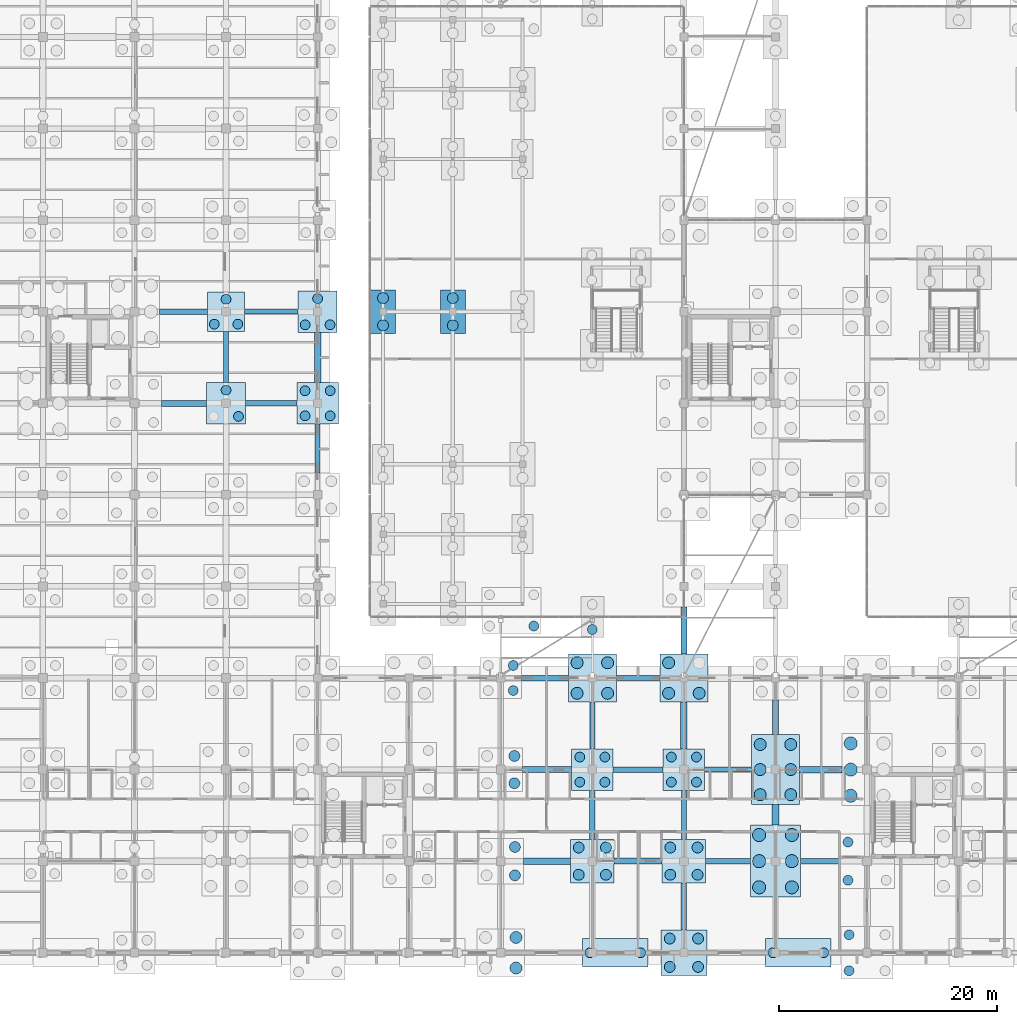
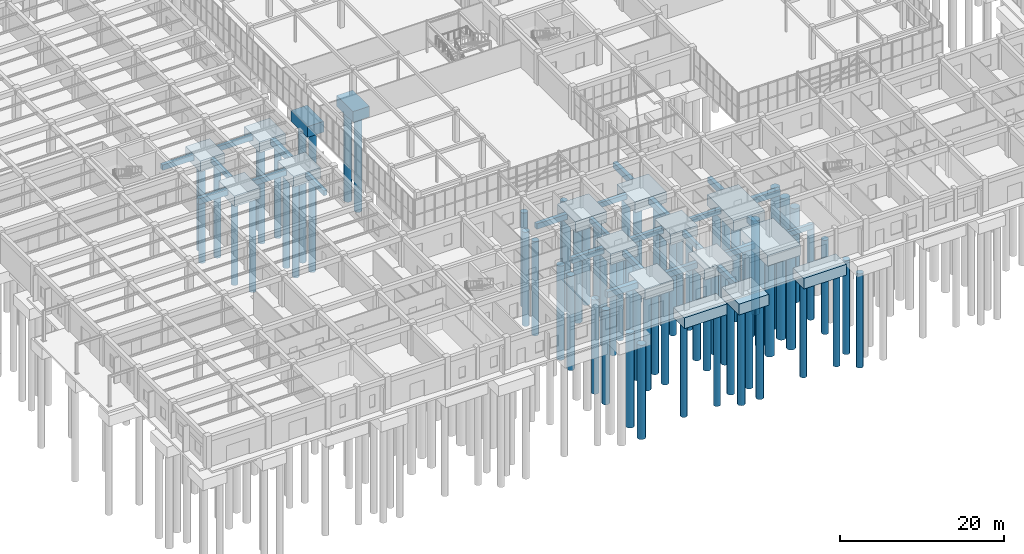
# One storey, part 4 of 192: 76 piles, 42 footings.
"""IFC4 building model written with IfcOpenShell, lengths in metres."""

from ifc_helpers import new_model, si_unit, direction, frame, origin, origin_2d, place, context, subcontext, project, spatial, rectangle, circle, extrude, material, layer, layer_set, material_profile, profile_set, type_object, element, save


model = new_model("IFC4")

# Units and contexts
model_context = context("Model", 3, precision=1e-05, world=origin(), true_north=direction((0.0, 1.0)))
body_context = subcontext(model_context, "Body", "Model", "MODEL_VIEW")
ifc_project = project(units=[si_unit("LENGTHUNIT", "METRE"), si_unit("AREAUNIT", "SQUARE_METRE"), si_unit("VOLUMEUNIT", "CUBIC_METRE"), si_unit("PLANEANGLEUNIT", "RADIAN"), si_unit("MASSUNIT", "GRAM", prefix="KILO")], contexts=[model_context])

# Site, building, storey
site_placement = place(None, origin())
site = spatial("IfcSite", under=ifc_project, at=site_placement, CompositionType="ELEMENT")
building_placement = place(site_placement, origin())
building = spatial("IfcBuilding", under=site, at=building_placement, Name="Trelvath General Hospital", CompositionType="ELEMENT")
storey_placement = place(building_placement, origin())
storey = spatial("IfcBuildingStorey", under=building, at=storey_placement, Name="L00", CompositionType="ELEMENT", Elevation=0.0)

# Piles
ifc_material_1 = material(Name="Concrete C35/45", Category="concrete")
ifc_material_profile_1 = material_profile(ifc_material_1, circle(Radius=0.5, at=origin_2d()), Name="PILE1000")
ifc_profile_set_1 = profile_set([ifc_material_profile_1], Name="Concrete C35/45")
pile_type_1 = type_object("IfcPileType", Name="BoredPile D1000", PredefinedType="BORED", material=ifc_profile_set_1)
for number, where, z_axis, x_axis, name in (
    (1, (48.0, 57.550048828125, -1.800048828125), (0.0, 0.0, -1.0), (1.0, 0.0, 0.0), "Bored Pile P-0372"),
    (2, (48.0, 60.050048828125, -1.800048828125), (0.0, 0.0, -1.0), (1.0, 0.0, 0.0), "Bored Pile P-0373"),
    (3, (54.39990234375, 57.550048828125, -1.800048828125), (0.0, 0.0, -1.0), (1.0, 0.0, 0.0), "Bored Pile P-0420"),
    (4, (54.39990234375, 60.050048828125, -1.800048828125), (0.0, 0.0, -1.0), (1.0, 0.0, 0.0), "Bored Pile P-0421"),
    (5, (60.10009765625, 7.10009765625, -1.800048828125), (0.0, 0.0, -1.0), (1.0, 0.0, 0.0), "Bored Pile P-0433"),
    (6, (60.10009765625, 9.699951171875, -1.800048828125), (0.0, 0.0, -1.0), (1.0, 0.0, 0.0), "Bored Pile P-0435"),
    (7, (60.050048828125, 15.550048828125, -1.800048828125), (0.0, 0.0, -1.0), (1.0, 0.0, 0.0), "Bored Pile P-0437"),
    (8, (60.050048828125, 18.050048828125, -1.800048828125), (0.0, 0.0, -1.0), (1.0, 0.0, 0.0), "Bored Pile P-0439"),
    (9, (65.949951171875, 7.14990234375, -1.800048828125), (0.0, 0.0, -1.0), (1.0, 0.0, 0.0), "Bored Pile P-0484"),
    (10, (68.449951171875, 7.14990234375, -1.800048828125), (0.0, 0.0, -1.0), (1.0, 0.0, 0.0), "Bored Pile P-0485"),
    (11, (65.949951171875, 9.64990234375, -1.800048828125), (0.0, 0.0, -1.0), (1.0, 0.0, 0.0), "Bored Pile P-0486"),
    (12, (68.449951171875, 9.64990234375, -1.800048828125), (0.0, 0.0, -1.0), (1.0, 0.0, 0.0), "Bored Pile P-0487"),
    (13, (74.300048828125, -1.300048828125, -1.800048828125), (0.0, 0.0, -1.0), (1.0, 0.0, 0.0), "Bored Pile P-0520"),
    (14, (76.89990234375, -1.300048828125, -1.800048828125), (0.0, 0.0, -1.0), (1.0, 0.0, 0.0), "Bored Pile P-0521"),
    (15, (74.300048828125, 1.300048828125, -1.800048828125), (0.0, 0.0, -1.0), (1.0, 0.0, 0.0), "Bored Pile P-0522"),
    (16, (76.89990234375, 1.300048828125, -1.800048828125), (0.0, 0.0, -1.0), (1.0, 0.0, 0.0), "Bored Pile P-0523"),
    (17, (74.35009765625, 7.14990234375, -1.800048828125), (0.0, 0.0, -1.0), (1.0, 0.0, 0.0), "Bored Pile P-0524"),
    (18, (76.85009765625, 7.14990234375, -1.800048828125), (0.0, 0.0, -1.0), (1.0, 0.0, 0.0), "Bored Pile P-0525"),
    (19, (74.35009765625, 9.64990234375, -1.800048828125), (0.0, 0.0, -1.0), (1.0, 0.0, 0.0), "Bored Pile P-0526"),
    (20, (76.85009765625, 9.64990234375, -1.800048828125), (0.0, 0.0, -1.0), (1.0, 0.0, 0.0), "Bored Pile P-0527"),
):
    element("IfcPile", number, at=place(storey_placement, frame(where, z_axis=z_axis, x_axis=x_axis)), inside=storey, type_object=pile_type_1, Name=name, PredefinedType="BORED", context=body_context, shape_type="SweptSolid", body=[
        extrude(circle(Radius=0.5, at=origin_2d()), origin(), (0.0, 0.0, 1.0), 14.0),
    ])
ifc_material_2 = material(Name="Concrete C35/45", Category="concrete")
ifc_material_profile_2 = material_profile(ifc_material_2, circle(Radius=0.550048828125, at=origin_2d()), Name="PILE1100")
ifc_profile_set_2 = profile_set([ifc_material_profile_2], Name="Concrete C35/45")
pile_type_2 = type_object("IfcPileType", Name="BoredPile D1100", PredefinedType="BORED", material=ifc_profile_set_2)
for number, where, z_axis, x_axis, name in (
    (21, (60.199951171875, -1.39990234375, -1.800048828125), (0.0, 0.0, -1.0), (1.0, 0.0, 0.0), "Bored Pile P-0429"),
    (22, (60.199951171875, 1.39990234375, -1.800048828125), (0.0, 0.0, -1.0), (1.0, 0.0, 0.0), "Bored Pile P-0431"),
    (23, (65.800048828125, 23.800048828125, -1.800048828125), (0.0, 0.0, -1.0), (1.0, 0.0, 0.0), "Bored Pile P-0492"),
    (24, (68.60009765625, 23.800048828125, -1.800048828125), (0.0, 0.0, -1.0), (1.0, 0.0, 0.0), "Bored Pile P-0493"),
    (25, (65.800048828125, 26.60009765625, -1.800048828125), (0.0, 0.0, -1.0), (1.0, 0.0, 0.0), "Bored Pile P-0494"),
    (26, (68.60009765625, 26.60009765625, -1.800048828125), (0.0, 0.0, -1.0), (1.0, 0.0, 0.0), "Bored Pile P-0495"),
    (27, (74.199951171875, 23.800048828125, -1.800048828125), (0.0, 0.0, -1.0), (1.0, 0.0, 0.0), "Bored Pile P-0532"),
    (28, (77.0, 23.800048828125, -1.800048828125), (0.0, 0.0, -1.0), (1.0, 0.0, 0.0), "Bored Pile P-0533"),
    (29, (74.199951171875, 26.60009765625, -1.800048828125), (0.0, 0.0, -1.0), (1.0, 0.0, 0.0), "Bored Pile P-0534"),
    (30, (82.60009765625, 14.5, -1.800048828125), (0.0, 0.0, -1.0), (1.0, 0.0, 0.0), "Bored Pile P-0590"),
    (31, (85.39990234375, 14.5, -1.800048828125), (0.0, 0.0, -1.0), (1.0, 0.0, 0.0), "Bored Pile P-0591"),
    (32, (82.60009765625, 16.800048828125, -1.800048828125), (0.0, 0.0, -1.0), (1.0, 0.0, 0.0), "Bored Pile P-0592"),
    (33, (85.39990234375, 16.800048828125, -1.800048828125), (0.0, 0.0, -1.0), (1.0, 0.0, 0.0), "Bored Pile P-0593"),
    (34, (82.60009765625, 19.10009765625, -1.800048828125), (0.0, 0.0, -1.0), (1.0, 0.0, 0.0), "Bored Pile P-0594"),
    (35, (85.39990234375, 19.10009765625, -1.800048828125), (0.0, 0.0, -1.0), (1.0, 0.0, 0.0), "Bored Pile P-0595"),
):
    element("IfcPile", number, at=place(storey_placement, frame(where, z_axis=z_axis, x_axis=x_axis)), inside=storey, type_object=pile_type_2, Name=name, PredefinedType="BORED", context=body_context, shape_type="SweptSolid", body=[
        extrude(circle(Radius=0.550048828125, at=origin_2d()), origin(), (0.0, 0.0, 1.0), 14.0),
    ])
ifc_material_3 = material(Name="Concrete C35/45", Category="concrete")
ifc_material_profile_3 = material_profile(ifc_material_3, circle(Radius=0.60009765625, at=origin_2d()), Name="PILE1200")
ifc_profile_set_3 = profile_set([ifc_material_profile_3], Name="Concrete C35/45")
pile_type_3 = type_object("IfcPileType", Name="BoredPile D1200", PredefinedType="BORED", material=ifc_profile_set_3)
for number, where, z_axis, x_axis, name in (
    (36, (82.5, 6.0, -1.800048828125), (0.0, 0.0, -1.0), (1.0, 0.0, 0.0), "Bored Pile P-0584"),
    (37, (85.5, 6.0, -1.800048828125), (0.0, 0.0, -1.0), (1.0, 0.0, 0.0), "Bored Pile P-0585"),
    (38, (82.5, 8.39990234375, -1.800048828125), (0.0, 0.0, -1.0), (1.0, 0.0, 0.0), "Bored Pile P-0586"),
    (39, (85.5, 8.39990234375, -1.800048828125), (0.0, 0.0, -1.0), (1.0, 0.0, 0.0), "Bored Pile P-0587"),
    (40, (82.5, 10.800048828125, -1.800048828125), (0.0, 0.0, -1.0), (1.0, 0.0, 0.0), "Bored Pile P-0588"),
    (41, (85.5, 10.800048828125, -1.800048828125), (0.0, 0.0, -1.0), (1.0, 0.0, 0.0), "Bored Pile P-0589"),
    (42, (90.89990234375, 14.39990234375, -1.800048828125), (0.0, 0.0, -1.0), (1.0, 0.0, 0.0), "Bored Pile P-0655"),
    (43, (90.89990234375, 16.800048828125, -1.800048828125), (0.0, 0.0, -1.0), (1.0, 0.0, 0.0), "Bored Pile P-0657"),
    (44, (90.89990234375, 19.199951171875, -1.800048828125), (0.0, 0.0, -1.0), (1.0, 0.0, 0.0), "Bored Pile P-0659"),
):
    element("IfcPile", number, at=place(storey_placement, frame(where, z_axis=z_axis, x_axis=x_axis)), inside=storey, type_object=pile_type_3, Name=name, PredefinedType="BORED", context=body_context, shape_type="SweptSolid", body=[
        extrude(circle(Radius=0.60009765625, at=origin_2d()), origin(), (0.0, 0.0, 1.0), 14.0),
    ])
ifc_material_4 = material(Name="Concrete C35/45", Category="concrete")
ifc_material_profile_4 = material_profile(ifc_material_4, circle(Radius=0.449951171875, at=origin_2d()), Name="PILE900")
ifc_profile_set_4 = profile_set([ifc_material_profile_4], Name="Concrete C35/45")
pile_type_4 = type_object("IfcPileType", Name="BoredPile D900", PredefinedType="BORED", material=ifc_profile_set_4)
for number, where, z_axis, x_axis, name in (
    (45, (34.739990234375, 49.199951171875, -1.800048828125), (0.0, 0.0, -1.0), (1.0, 0.0, 0.0), "Bored Pile P-0265"),
    (46, (33.60009765625, 51.60009765625, -1.800048828125), (0.0, 0.0, -1.0), (1.0, 0.0, 0.0), "Bored Pile P-0266"),
    (47, (32.52001953125, 57.659912109375, -1.800048828125), (0.0, 0.0, -1.0), (1.0, 0.0, 0.0), "Bored Pile P-0267"),
    (48, (34.679931640625, 57.659912109375, -1.800048828125), (0.0, 0.0, -1.0), (1.0, 0.0, 0.0), "Bored Pile P-0268"),
    (49, (33.60009765625, 59.93994140625, -1.800048828125), (0.0, 0.0, -1.0), (1.0, 0.0, 0.0), "Bored Pile P-0269"),
    (50, (40.85009765625, 49.25, -1.800048828125), (0.0, 0.0, -1.0), (1.0, 0.0, 0.0), "Bored Pile P-0328"),
    (51, (43.14990234375, 49.25, -1.800048828125), (0.0, 0.0, -1.0), (1.0, 0.0, 0.0), "Bored Pile P-0329"),
    (52, (40.85009765625, 51.550048828125, -1.800048828125), (0.0, 0.0, -1.0), (1.0, 0.0, 0.0), "Bored Pile P-0330"),
    (53, (43.14990234375, 51.550048828125, -1.800048828125), (0.0, 0.0, -1.0), (1.0, 0.0, 0.0), "Bored Pile P-0331"),
    (54, (40.860107421875, 57.60009765625, -1.800048828125), (0.0, 0.0, -1.0), (1.0, 0.0, 0.0), "Bored Pile P-0332"),
    (55, (43.139892578125, 57.60009765625, -1.800048828125), (0.0, 0.0, -1.0), (1.0, 0.0, 0.0), "Bored Pile P-0333"),
    (56, (42.0, 60.0, -1.800048828125), (0.0, 0.0, -1.0), (1.0, 0.0, 0.0), "Bored Pile P-0334"),
    (57, (59.949951171875, 24.050048828125, -1.800048828125), (0.0, 0.0, -1.0), (1.0, 0.0, 0.0), "Bored Pile P-0441"),
    (58, (59.949951171875, 26.35009765625, -1.800048828125), (0.0, 0.0, -1.0), (1.0, 0.0, 0.0), "Bored Pile P-0443"),
    (59, (61.830078125, 29.969970703125, -1.800048828125), (0.0, 0.0, -1.0), (1.0, 0.0, 0.0), "Bored Pile P-0446"),
    (60, (66.969970703125, 0.0, -1.800048828125), (0.0, 0.0, -1.0), (1.0, 0.0, 0.0), "Bored Pile P-0482"),
    (61, (71.6298828125, 0.0, -1.800048828125), (0.0, 0.0, -1.0), (1.0, 0.0, 0.0), "Bored Pile P-0483"),
    (62, (66.050048828125, 15.64990234375, -1.800048828125), (0.0, 0.0, -1.0), (1.0, 0.0, 0.0), "Bored Pile P-0488"),
    (63, (68.35009765625, 15.64990234375, -1.800048828125), (0.0, 0.0, -1.0), (1.0, 0.0, 0.0), "Bored Pile P-0489"),
    (64, (66.050048828125, 17.949951171875, -1.800048828125), (0.0, 0.0, -1.0), (1.0, 0.0, 0.0), "Bored Pile P-0490"),
    (65, (68.35009765625, 17.949951171875, -1.800048828125), (0.0, 0.0, -1.0), (1.0, 0.0, 0.0), "Bored Pile P-0491"),
    (66, (67.199951171875, 29.64990234375, -1.800048828125), (0.0, 0.0, -1.0), (1.0, 0.0, 0.0), "Bored Pile P-0496"),
    (67, (74.449951171875, 15.64990234375, -1.800048828125), (0.0, 0.0, -1.0), (1.0, 0.0, 0.0), "Bored Pile P-0528"),
    (68, (76.75, 15.64990234375, -1.800048828125), (0.0, 0.0, -1.0), (1.0, 0.0, 0.0), "Bored Pile P-0529"),
    (69, (74.449951171875, 17.949951171875, -1.800048828125), (0.0, 0.0, -1.0), (1.0, 0.0, 0.0), "Bored Pile P-0530"),
    (70, (76.75, 17.949951171875, -1.800048828125), (0.0, 0.0, -1.0), (1.0, 0.0, 0.0), "Bored Pile P-0531"),
    (71, (83.77001953125, 0.0, -1.800048828125), (0.0, 0.0, -1.0), (1.0, 0.0, 0.0), "Bored Pile P-0582"),
    (72, (88.429931640625, 0.0, -1.800048828125), (0.0, 0.0, -1.0), (1.0, 0.0, 0.0), "Bored Pile P-0583"),
    (73, (90.75, -1.64990234375, -1.800048828125), (0.0, 0.0, -1.0), (1.0, 0.0, 0.0), "Bored Pile P-0645"),
    (74, (90.75, 1.64990234375, -1.800048828125), (0.0, 0.0, -1.0), (1.0, 0.0, 0.0), "Bored Pile P-0648"),
    (75, (90.64990234375, 6.64990234375, -1.800048828125), (0.0, 0.0, -1.0), (1.0, 0.0, 0.0), "Bored Pile P-0650"),
    (76, (90.64990234375, 10.14990234375, -1.800048828125), (0.0, 0.0, -1.0), (1.0, 0.0, 0.0), "Bored Pile P-0653"),
):
    element("IfcPile", number, at=place(storey_placement, frame(where, z_axis=z_axis, x_axis=x_axis)), inside=storey, type_object=pile_type_4, Name=name, PredefinedType="BORED", context=body_context, shape_type="SweptSolid", body=[
        extrude(circle(Radius=0.449951171875, at=origin_2d()), origin(), (0.0, 0.0, 1.0), 14.0),
    ])

# Footings
ifc_material_5 = material(Name="Concrete C35/45", Category="concrete")
ifc_layer_1 = layer(ifc_material_5, 1.60009765625)
ifc_layer_set_1 = layer_set([ifc_layer_1], Name="Concrete C35/45")
footing_type_1 = type_object("IfcFootingType", Name="PileCap 2P 230x400", PredefinedType="PILE_CAP", material=ifc_layer_set_1)
for number, where, z_axis, x_axis, name in (
    (77, (48.0, 58.800048828125, -1.900146484375), (0.0, 0.0, 1.0), (1.0, 0.0, 0.0), "Pile Cap PC-094"),
    (78, (54.39990234375, 58.800048828125, -1.900146484375), (0.0, 0.0, 1.0), (1.0, 0.0, 0.0), "Pile Cap PC-109"),
):
    element("IfcFooting", number, at=place(storey_placement, frame(where, z_axis=z_axis, x_axis=x_axis)), inside=storey, type_object=footing_type_1, Name=name, PredefinedType="PILE_CAP", context=body_context, shape_type="SweptSolid", body=[
        extrude(rectangle(XDim=2.300048828125, YDim=4.0, at=origin_2d()), origin(), (0.0, 0.0, 1.0), 1.60009765625),
    ])
ifc_material_6 = material(Name="Concrete C35/45", Category="concrete")
ifc_layer_2 = layer(ifc_material_6, 1.60009765625)
ifc_layer_set_2 = layer_set([ifc_layer_2], Name="Concrete C35/45")
footing_type_2 = type_object("IfcFootingType", Name="PileCap 3P 340x360", PredefinedType="PILE_CAP", material=ifc_layer_set_2)
footing_1_placement = place(storey_placement, frame((33.60009765625, 58.800048828125, -1.900146484375), z_axis=(0.0, 0.0, 1.0), x_axis=(1.0, 0.0, 0.0)))
element("IfcFooting", 79, at=footing_1_placement, inside=storey, type_object=footing_type_2, Name="Pile Cap PC-068", PredefinedType="PILE_CAP", context=body_context, shape_type="SweptSolid", body=[
    extrude(rectangle(XDim=3.39990234375, YDim=3.60009765625, at=origin_2d()), origin(), (0.0, 0.0, 1.0), 1.60009765625),
])
ifc_material_7 = material(Name="Concrete C35/45", Category="concrete")
ifc_layer_3 = layer(ifc_material_7, 1.60009765625)
ifc_layer_set_3 = layer_set([ifc_layer_3], Name="Concrete C35/45")
footing_type_3 = type_object("IfcFootingType", Name="PileCap 3P 360x380", PredefinedType="PILE_CAP", material=ifc_layer_set_3)
for number, where, z_axis, x_axis, name in (
    (80, (33.60009765625, 50.39990234375, -1.900146484375), (0.0, 0.0, 1.0), (1.0, 0.0, 0.0), "Pile Cap PC-067"),
    (81, (42.0, 58.800048828125, -1.900146484375), (0.0, 0.0, 1.0), (1.0, 0.0, 0.0), "Pile Cap PC-083"),
):
    element("IfcFooting", number, at=place(storey_placement, frame(where, z_axis=z_axis, x_axis=x_axis)), inside=storey, type_object=footing_type_3, Name=name, PredefinedType="PILE_CAP", context=body_context, shape_type="SweptSolid", body=[
        extrude(rectangle(XDim=3.60009765625, YDim=3.800048828125, at=origin_2d()), origin(), (0.0, 0.0, 1.0), 1.60009765625),
    ])
ifc_material_8 = material(Name="Concrete C35/45", Category="concrete")
ifc_layer_4 = layer(ifc_material_8, 1.60009765625)
ifc_layer_set_4 = layer_set([ifc_layer_4], Name="Concrete C35/45")
footing_type_4 = type_object("IfcFootingType", Name="PileCap 4P 380x380", PredefinedType="PILE_CAP", material=ifc_layer_set_4)
for number, where, z_axis, x_axis, name in (
    (82, (42.0, 50.39990234375, -1.900146484375), (0.0, 0.0, 1.0), (1.0, 0.0, 0.0), "Pile Cap PC-082"),
    (83, (67.199951171875, 16.800048828125, -1.900146484375), (0.0, 0.0, 1.0), (1.0, 0.0, 0.0), "Pile Cap PC-132"),
    (84, (75.60009765625, 16.800048828125, -1.900146484375), (0.0, 0.0, 1.0), (1.0, 0.0, 0.0), "Pile Cap PC-144"),
):
    element("IfcFooting", number, at=place(storey_placement, frame(where, z_axis=z_axis, x_axis=x_axis)), inside=storey, type_object=footing_type_4, Name=name, PredefinedType="PILE_CAP", context=body_context, shape_type="SweptSolid", body=[
        extrude(rectangle(XDim=3.800048828125, YDim=3.800048828125, at=origin_2d()), origin(), (0.0, 0.0, 1.0), 1.60009765625),
    ])
ifc_material_9 = material(Name="Concrete C35/45", Category="concrete")
ifc_layer_5 = layer(ifc_material_9, 1.60009765625)
ifc_layer_set_5 = layer_set([ifc_layer_5], Name="Concrete C35/45")
footing_type_5 = type_object("IfcFootingType", Name="PileCap 4P 400x400", PredefinedType="PILE_CAP", material=ifc_layer_set_5)
for number, where, z_axis, x_axis, name in (
    (85, (67.199951171875, 8.39990234375, -1.900146484375), (0.0, 0.0, 1.0), (1.0, 0.0, 0.0), "Pile Cap PC-131"),
    (86, (75.60009765625, 8.39990234375, -1.900146484375), (0.0, 0.0, 1.0), (1.0, 0.0, 0.0), "Pile Cap PC-143"),
):
    element("IfcFooting", number, at=place(storey_placement, frame(where, z_axis=z_axis, x_axis=x_axis)), inside=storey, type_object=footing_type_5, Name=name, PredefinedType="PILE_CAP", context=body_context, shape_type="SweptSolid", body=[
        extrude(rectangle(XDim=4.0, YDim=4.0, at=origin_2d()), origin(), (0.0, 0.0, 1.0), 1.60009765625),
    ])
ifc_material_10 = material(Name="Concrete C35/45", Category="concrete")
ifc_layer_6 = layer(ifc_material_10, 1.60009765625)
ifc_layer_set_6 = layer_set([ifc_layer_6], Name="Concrete C35/45")
footing_type_6 = type_object("IfcFootingType", Name="PileCap 4P 420x420", PredefinedType="PILE_CAP", material=ifc_layer_set_6)
footing_2_placement = place(storey_placement, frame((75.60009765625, 0.0, -1.900146484375), z_axis=(0.0, 0.0, 1.0), x_axis=(1.0, 0.0, 0.0)))
element("IfcFooting", 87, at=footing_2_placement, inside=storey, type_object=footing_type_6, Name="Pile Cap PC-142", PredefinedType="PILE_CAP", context=body_context, shape_type="SweptSolid", body=[
    extrude(rectangle(XDim=4.199951171875, YDim=4.199951171875, at=origin_2d()), origin(), (0.0, 0.0, 1.0), 1.60009765625),
])
ifc_material_11 = material(Name="Concrete C35/45", Category="concrete")
ifc_layer_7 = layer(ifc_material_11, 1.60009765625)
ifc_layer_set_7 = layer_set([ifc_layer_7], Name="Concrete C35/45")
footing_type_7 = type_object("IfcFootingType", Name="PileCap 4P 440x440", PredefinedType="PILE_CAP", material=ifc_layer_set_7)
for number, where, z_axis, x_axis, name in (
    (88, (67.199951171875, 25.199951171875, -1.900146484375), (0.0, 0.0, 1.0), (1.0, 0.0, 0.0), "Pile Cap PC-133"),
    (89, (75.60009765625, 25.199951171875, -1.900146484375), (0.0, 0.0, 1.0), (1.0, 0.0, 0.0), "Pile Cap PC-145"),
):
    element("IfcFooting", number, at=place(storey_placement, frame(where, z_axis=z_axis, x_axis=x_axis)), inside=storey, type_object=footing_type_7, Name=name, PredefinedType="PILE_CAP", context=body_context, shape_type="SweptSolid", body=[
        extrude(rectangle(XDim=4.39990234375, YDim=4.39990234375, at=origin_2d()), origin(), (0.0, 0.0, 1.0), 1.60009765625),
    ])
ifc_material_12 = material(Name="Concrete C35/45", Category="concrete")
ifc_layer_8 = layer(ifc_material_12, 1.60009765625)
ifc_layer_set_8 = layer_set([ifc_layer_8], Name="Concrete C35/45")
footing_type_8 = type_object("IfcFootingType", Name="PileCap 6P 440x640", PredefinedType="PILE_CAP", material=ifc_layer_set_8)
footing_3_placement = place(storey_placement, frame((84.0, 16.800048828125, -1.900146484375), z_axis=(0.0, 0.0, 1.0), x_axis=(1.0, 0.0, 0.0)))
element("IfcFooting", 90, at=footing_3_placement, inside=storey, type_object=footing_type_8, Name="Pile Cap PC-158", PredefinedType="PILE_CAP", context=body_context, shape_type="SweptSolid", body=[
    extrude(rectangle(XDim=4.39990234375, YDim=6.39990234375, at=origin_2d()), origin(), (0.0, 0.0, 1.0), 1.60009765625),
])
ifc_material_13 = material(Name="Concrete C35/45", Category="concrete")
ifc_layer_9 = layer(ifc_material_13, 1.60009765625)
ifc_layer_set_9 = layer_set([ifc_layer_9], Name="Concrete C35/45")
footing_type_9 = type_object("IfcFootingType", Name="PileCap 6P 460x660", PredefinedType="PILE_CAP", material=ifc_layer_set_9)
footing_4_placement = place(storey_placement, frame((84.0, 8.39990234375, -1.900146484375), z_axis=(0.0, 0.0, 1.0), x_axis=(1.0, 0.0, 0.0)))
element("IfcFooting", 91, at=footing_4_placement, inside=storey, type_object=footing_type_9, Name="Pile Cap PC-157", PredefinedType="PILE_CAP", context=body_context, shape_type="SweptSolid", body=[
    extrude(rectangle(XDim=4.60009765625, YDim=6.60009765625, at=origin_2d()), origin(), (0.0, 0.0, 1.0), 1.60009765625),
])
ifc_material_14 = material(Name="Concrete C35/45", Category="concrete")
ifc_layer_10 = layer(ifc_material_14, 1.60009765625)
ifc_layer_set_10 = layer_set([ifc_layer_10], Name="Concrete C35/45")
footing_type_10 = type_object("IfcFootingType", Name="PileCap Comb 600x260", PredefinedType="PILE_CAP", material=ifc_layer_set_10)
for number, where, z_axis, x_axis, name in (
    (92, (69.300048828125, 0.0, -1.900146484375), (0.0, 0.0, 1.0), (1.0, 0.0, 0.0), "Pile Cap PC-130"),
    (93, (86.10009765625, 0.0, -1.900146484375), (0.0, 0.0, 1.0), (1.0, 0.0, 0.0), "Pile Cap PC-156"),
):
    element("IfcFooting", number, at=place(storey_placement, frame(where, z_axis=z_axis, x_axis=x_axis)), inside=storey, type_object=footing_type_10, Name=name, PredefinedType="PILE_CAP", context=body_context, shape_type="SweptSolid", body=[
        extrude(rectangle(XDim=6.0, YDim=2.60009765625, at=origin_2d()), origin(), (0.0, 0.0, 1.0), 1.60009765625),
    ])
ifc_material_15 = material(Name="Concrete C35/45", Category="concrete")
ifc_layer_11 = layer(ifc_material_15, 0.75)
ifc_layer_set_11 = layer_set([ifc_layer_11], Name="Concrete C35/45")
footing_type_11 = type_object("IfcFootingType", Name="TieBeam 450x750", PredefinedType="FOOTING_BEAM", material=ifc_layer_set_11)
footing_5_placement = place(storey_placement, frame((33.60009765625, 54.64990234375, -1.050048828125), z_axis=(0.0, 0.0, 1.0), x_axis=(1.0, 0.0, 0.0)))
element("IfcFooting", 94, at=footing_5_placement, inside=storey, type_object=footing_type_11, Name="Foundation Tie Beam TB-105", PredefinedType="FOOTING_BEAM", context=body_context, shape_type="SweptSolid", body=[
    extrude(rectangle(XDim=0.449951171875, YDim=4.699951171875, at=origin_2d()), origin(), (0.0, 0.0, 1.0), 0.75),
])
footing_6_placement = place(storey_placement, frame((37.75, 58.800048828125, -1.050048828125), z_axis=(0.0, 0.0, 1.0), x_axis=(1.0, 0.0, 0.0)))
element("IfcFooting", 95, at=footing_6_placement, inside=storey, type_object=footing_type_11, Name="Foundation Tie Beam TB-106", PredefinedType="FOOTING_BEAM", context=body_context, shape_type="SweptSolid", body=[
    extrude(rectangle(XDim=4.89990234375, YDim=0.449951171875, at=origin_2d()), origin(), (0.0, 0.0, 1.0), 0.75),
])
footing_7_placement = place(storey_placement, frame((42.0, 46.25, -1.050048828125), z_axis=(0.0, 0.0, 1.0), x_axis=(1.0, 0.0, 0.0)))
element("IfcFooting", 96, at=footing_7_placement, inside=storey, type_object=footing_type_11, Name="Foundation Tie Beam TB-127", PredefinedType="FOOTING_BEAM", context=body_context, shape_type="SweptSolid", body=[
    extrude(rectangle(XDim=0.449951171875, YDim=4.5, at=origin_2d()), origin(), (0.0, 0.0, 1.0), 0.75),
])
footing_8_placement = place(storey_placement, frame((67.199951171875, 20.85009765625, -1.050048828125), z_axis=(0.0, 0.0, 1.0), x_axis=(1.0, 0.0, 0.0)))
element("IfcFooting", 97, at=footing_8_placement, inside=storey, type_object=footing_type_11, Name="Foundation Tie Beam TB-164", PredefinedType="FOOTING_BEAM", context=body_context, shape_type="SweptSolid", body=[
    extrude(rectangle(XDim=0.449951171875, YDim=4.300048828125, at=origin_2d()), origin(), (0.0, 0.0, 1.0), 0.75),
])
footing_9_placement = place(storey_placement, frame((71.39990234375, 25.199951171875, -1.050048828125), z_axis=(0.0, 0.0, 1.0), x_axis=(1.0, 0.0, 0.0)))
element("IfcFooting", 98, at=footing_9_placement, inside=storey, type_object=footing_type_11, Name="Foundation Tie Beam TB-165", PredefinedType="FOOTING_BEAM", context=body_context, shape_type="SweptSolid", body=[
    extrude(rectangle(XDim=4.0, YDim=0.449951171875, at=origin_2d()), origin(), (0.0, 0.0, 1.0), 0.75),
])
footing_10_placement = place(storey_placement, frame((75.60009765625, 12.64990234375, -1.050048828125), z_axis=(0.0, 0.0, 1.0), x_axis=(1.0, 0.0, 0.0)))
element("IfcFooting", 99, at=footing_10_placement, inside=storey, type_object=footing_type_11, Name="Foundation Tie Beam TB-173", PredefinedType="FOOTING_BEAM", context=body_context, shape_type="SweptSolid", body=[
    extrude(rectangle(XDim=0.449951171875, YDim=4.5, at=origin_2d()), origin(), (0.0, 0.0, 1.0), 0.75),
])
footing_11_placement = place(storey_placement, frame((79.64990234375, 16.800048828125, -1.050048828125), z_axis=(0.0, 0.0, 1.0), x_axis=(1.0, 0.0, 0.0)))
element("IfcFooting", 100, at=footing_11_placement, inside=storey, type_object=footing_type_11, Name="Foundation Tie Beam TB-174", PredefinedType="FOOTING_BEAM", context=body_context, shape_type="SweptSolid", body=[
    extrude(rectangle(XDim=4.300048828125, YDim=0.449951171875, at=origin_2d()), origin(), (0.0, 0.0, 1.0), 0.75),
])
footing_12_placement = place(storey_placement, frame((88.10009765625, 8.39990234375, -1.050048828125), z_axis=(0.0, 0.0, 1.0), x_axis=(1.0, 0.0, 0.0)))
element("IfcFooting", 101, at=footing_12_placement, inside=storey, type_object=footing_type_11, Name="Foundation Tie Beam TB-195", PredefinedType="FOOTING_BEAM", context=body_context, shape_type="SweptSolid", body=[
    extrude(rectangle(XDim=3.60009765625, YDim=0.449951171875, at=origin_2d()), origin(), (0.0, 0.0, 1.0), 0.75),
])
ifc_material_16 = material(Name="Concrete C35/45", Category="concrete")
ifc_layer_12 = layer(ifc_material_16, 0.800048828125)
ifc_layer_set_12 = layer_set([ifc_layer_12], Name="Concrete C35/45")
footing_type_12 = type_object("IfcFootingType", Name="TieBeam 500x800", PredefinedType="FOOTING_BEAM", material=ifc_layer_set_12)
footing_13_placement = place(storey_placement, frame((29.699951171875, 58.800048828125, -1.10009765625), z_axis=(0.0, 0.0, 1.0), x_axis=(1.0, 0.0, 0.0)))
element("IfcFooting", 102, at=footing_13_placement, inside=storey, type_object=footing_type_12, Name="Foundation Tie Beam TB-080", PredefinedType="FOOTING_BEAM", context=body_context, shape_type="SweptSolid", body=[
    extrude(rectangle(XDim=4.39990234375, YDim=0.5, at=origin_2d()), origin(), (0.0, 0.0, 1.0), 0.800048828125),
])
footing_14_placement = place(storey_placement, frame((37.75, 50.39990234375, -1.10009765625), z_axis=(0.0, 0.0, 1.0), x_axis=(1.0, 0.0, 0.0)))
element("IfcFooting", 103, at=footing_14_placement, inside=storey, type_object=footing_type_12, Name="Foundation Tie Beam TB-104", PredefinedType="FOOTING_BEAM", context=body_context, shape_type="SweptSolid", body=[
    extrude(rectangle(XDim=4.699951171875, YDim=0.5, at=origin_2d()), origin(), (0.0, 0.0, 1.0), 0.800048828125),
])
footing_15_placement = place(storey_placement, frame((62.85009765625, 25.199951171875, -1.10009765625), z_axis=(0.0, 0.0, 1.0), x_axis=(1.0, 0.0, 0.0)))
element("IfcFooting", 104, at=footing_15_placement, inside=storey, type_object=footing_type_12, Name="Foundation Tie Beam TB-154", PredefinedType="FOOTING_BEAM", context=body_context, shape_type="SweptSolid", body=[
    extrude(rectangle(XDim=4.300048828125, YDim=0.5, at=origin_2d()), origin(), (0.0, 0.0, 1.0), 0.800048828125),
])
footing_16_placement = place(storey_placement, frame((67.199951171875, 12.64990234375, -1.10009765625), z_axis=(0.0, 0.0, 1.0), x_axis=(1.0, 0.0, 0.0)))
element("IfcFooting", 105, at=footing_16_placement, inside=storey, type_object=footing_type_12, Name="Foundation Tie Beam TB-162", PredefinedType="FOOTING_BEAM", context=body_context, shape_type="SweptSolid", body=[
    extrude(rectangle(XDim=0.5, YDim=4.5, at=origin_2d()), origin(), (0.0, 0.0, 1.0), 0.800048828125),
])
footing_17_placement = place(storey_placement, frame((71.39990234375, 16.800048828125, -1.10009765625), z_axis=(0.0, 0.0, 1.0), x_axis=(1.0, 0.0, 0.0)))
element("IfcFooting", 106, at=footing_17_placement, inside=storey, type_object=footing_type_12, Name="Foundation Tie Beam TB-163", PredefinedType="FOOTING_BEAM", context=body_context, shape_type="SweptSolid", body=[
    extrude(rectangle(XDim=4.60009765625, YDim=0.5, at=origin_2d()), origin(), (0.0, 0.0, 1.0), 0.800048828125),
])
footing_18_placement = place(storey_placement, frame((75.60009765625, 4.25, -1.10009765625), z_axis=(0.0, 0.0, 1.0), x_axis=(1.0, 0.0, 0.0)))
element("IfcFooting", 107, at=footing_18_placement, inside=storey, type_object=footing_type_12, Name="Foundation Tie Beam TB-171", PredefinedType="FOOTING_BEAM", context=body_context, shape_type="SweptSolid", body=[
    extrude(rectangle(XDim=0.5, YDim=4.300048828125, at=origin_2d()), origin(), (0.0, 0.0, 1.0), 0.800048828125),
])
footing_19_placement = place(storey_placement, frame((79.64990234375, 8.39990234375, -1.10009765625), z_axis=(0.0, 0.0, 1.0), x_axis=(1.0, 0.0, 0.0)))
element("IfcFooting", 108, at=footing_19_placement, inside=storey, type_object=footing_type_12, Name="Foundation Tie Beam TB-172", PredefinedType="FOOTING_BEAM", context=body_context, shape_type="SweptSolid", body=[
    extrude(rectangle(XDim=4.10009765625, YDim=0.5, at=origin_2d()), origin(), (0.0, 0.0, 1.0), 0.800048828125),
])
ifc_material_17 = material(Name="Concrete C35/45", Category="concrete")
ifc_layer_13 = layer(ifc_material_17, 0.85009765625)
ifc_layer_set_13 = layer_set([ifc_layer_13], Name="Concrete C35/45")
footing_type_13 = type_object("IfcFootingType", Name="TieBeam 550x850", PredefinedType="FOOTING_BEAM", material=ifc_layer_set_13)
footing_20_placement = place(storey_placement, frame((29.75, 50.39990234375, -1.150146484375), z_axis=(0.0, 0.0, 1.0), x_axis=(1.0, 0.0, 0.0)))
element("IfcFooting", 109, at=footing_20_placement, inside=storey, type_object=footing_type_13, Name="Foundation Tie Beam TB-078", PredefinedType="FOOTING_BEAM", context=body_context, shape_type="SweptSolid", body=[
    extrude(rectangle(XDim=4.10009765625, YDim=0.550048828125, at=origin_2d()), origin(), (0.0, 0.0, 1.0), 0.85009765625),
])
footing_21_placement = place(storey_placement, frame((63.050048828125, 16.800048828125, -1.150146484375), z_axis=(0.0, 0.0, 1.0), x_axis=(1.0, 0.0, 0.0)))
element("IfcFooting", 110, at=footing_21_placement, inside=storey, type_object=footing_type_13, Name="Foundation Tie Beam TB-152", PredefinedType="FOOTING_BEAM", context=body_context, shape_type="SweptSolid", body=[
    extrude(rectangle(XDim=4.5, YDim=0.550048828125, at=origin_2d()), origin(), (0.0, 0.0, 1.0), 0.85009765625),
])
footing_22_placement = place(storey_placement, frame((71.39990234375, 8.39990234375, -1.150146484375), z_axis=(0.0, 0.0, 1.0), x_axis=(1.0, 0.0, 0.0)))
element("IfcFooting", 111, at=footing_22_placement, inside=storey, type_object=footing_type_13, Name="Foundation Tie Beam TB-161", PredefinedType="FOOTING_BEAM", context=body_context, shape_type="SweptSolid", body=[
    extrude(rectangle(XDim=4.39990234375, YDim=0.550048828125, at=origin_2d()), origin(), (0.0, 0.0, 1.0), 0.85009765625),
])
footing_23_placement = place(storey_placement, frame((75.60009765625, 29.550048828125, -1.150146484375), z_axis=(0.0, 0.0, 1.0), x_axis=(1.0, 0.0, 0.0)))
element("IfcFooting", 112, at=footing_23_placement, inside=storey, type_object=footing_type_13, Name="Foundation Tie Beam TB-177", PredefinedType="FOOTING_BEAM", context=body_context, shape_type="SweptSolid", body=[
    extrude(rectangle(XDim=0.550048828125, YDim=4.300048828125, at=origin_2d()), origin(), (0.0, 0.0, 1.0), 0.85009765625),
])
footing_24_placement = place(storey_placement, frame((84.0, 21.60009765625, -1.150146484375), z_axis=(0.0, 0.0, 1.0), x_axis=(1.0, 0.0, 0.0)))
element("IfcFooting", 113, at=footing_24_placement, inside=storey, type_object=footing_type_13, Name="Foundation Tie Beam TB-198", PredefinedType="FOOTING_BEAM", context=body_context, shape_type="SweptSolid", body=[
    extrude(rectangle(XDim=0.550048828125, YDim=3.199951171875, at=origin_2d()), origin(), (0.0, 0.0, 1.0), 0.85009765625),
])
ifc_material_18 = material(Name="Concrete C35/45", Category="concrete")
ifc_layer_14 = layer(ifc_material_18, 0.89990234375)
ifc_layer_set_14 = layer_set([ifc_layer_14], Name="Concrete C35/45")
footing_type_14 = type_object("IfcFootingType", Name="TieBeam 600x900", PredefinedType="FOOTING_BEAM", material=ifc_layer_set_14)
footing_25_placement = place(storey_placement, frame((42.0, 54.60009765625, -1.199951171875), z_axis=(0.0, 0.0, 1.0), x_axis=(1.0, 0.0, 0.0)))
element("IfcFooting", 114, at=footing_25_placement, inside=storey, type_object=footing_type_14, Name="Foundation Tie Beam TB-128", PredefinedType="FOOTING_BEAM", context=body_context, shape_type="SweptSolid", body=[
    extrude(rectangle(XDim=0.60009765625, YDim=4.60009765625, at=origin_2d()), origin(), (0.0, 0.0, 1.0), 0.89990234375),
])
footing_26_placement = place(storey_placement, frame((63.050048828125, 8.39990234375, -1.199951171875), z_axis=(0.0, 0.0, 1.0), x_axis=(1.0, 0.0, 0.0)))
element("IfcFooting", 115, at=footing_26_placement, inside=storey, type_object=footing_type_14, Name="Foundation Tie Beam TB-150", PredefinedType="FOOTING_BEAM", context=body_context, shape_type="SweptSolid", body=[
    extrude(rectangle(XDim=4.300048828125, YDim=0.60009765625, at=origin_2d()), origin(), (0.0, 0.0, 1.0), 0.89990234375),
])
footing_27_placement = place(storey_placement, frame((75.60009765625, 20.85009765625, -1.199951171875), z_axis=(0.0, 0.0, 1.0), x_axis=(1.0, 0.0, 0.0)))
element("IfcFooting", 116, at=footing_27_placement, inside=storey, type_object=footing_type_14, Name="Foundation Tie Beam TB-175", PredefinedType="FOOTING_BEAM", context=body_context, shape_type="SweptSolid", body=[
    extrude(rectangle(XDim=0.60009765625, YDim=4.300048828125, at=origin_2d()), origin(), (0.0, 0.0, 1.0), 0.89990234375),
])
footing_28_placement = place(storey_placement, frame((84.0, 12.64990234375, -1.199951171875), z_axis=(0.0, 0.0, 1.0), x_axis=(1.0, 0.0, 0.0)))
element("IfcFooting", 117, at=footing_28_placement, inside=storey, type_object=footing_type_14, Name="Foundation Tie Beam TB-196", PredefinedType="FOOTING_BEAM", context=body_context, shape_type="SweptSolid", body=[
    extrude(rectangle(XDim=0.60009765625, YDim=1.89990234375, at=origin_2d()), origin(), (0.0, 0.0, 1.0), 0.89990234375),
])
footing_29_placement = place(storey_placement, frame((88.14990234375, 16.800048828125, -1.199951171875), z_axis=(0.0, 0.0, 1.0), x_axis=(1.0, 0.0, 0.0)))
element("IfcFooting", 118, at=footing_29_placement, inside=storey, type_object=footing_type_14, Name="Foundation Tie Beam TB-197", PredefinedType="FOOTING_BEAM", context=body_context, shape_type="SweptSolid", body=[
    extrude(rectangle(XDim=3.89990234375, YDim=0.60009765625, at=origin_2d()), origin(), (0.0, 0.0, 1.0), 0.89990234375),
])

save(model, "model.ifc")
